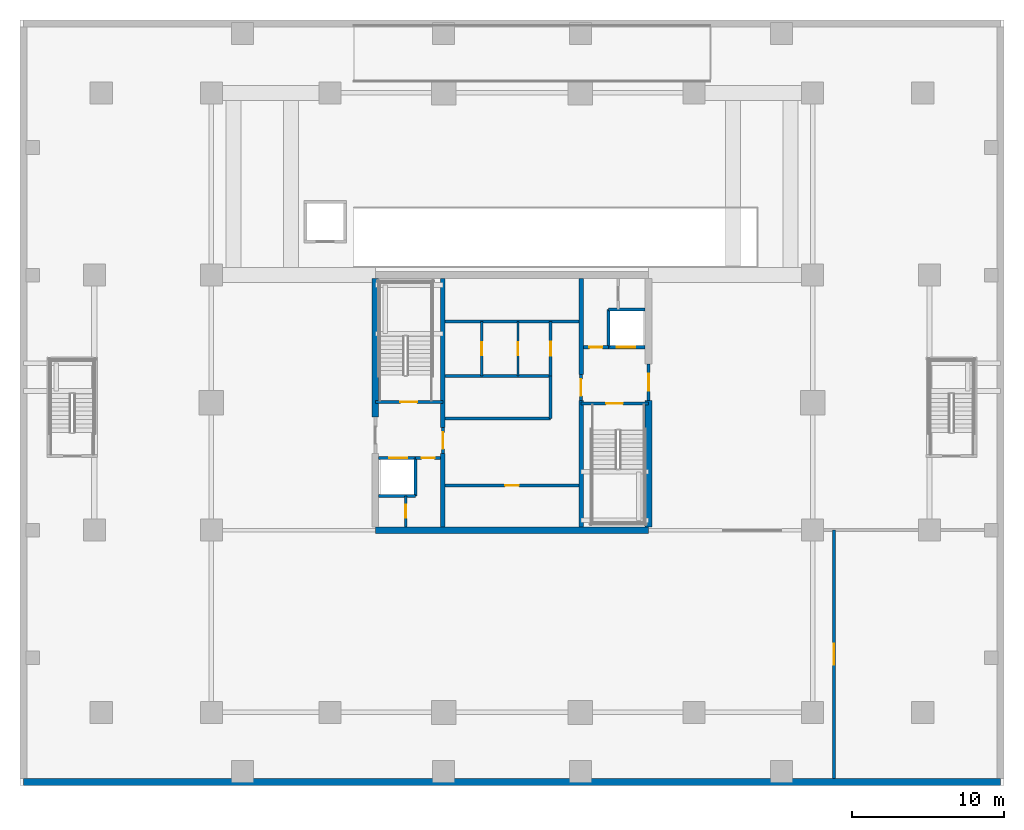
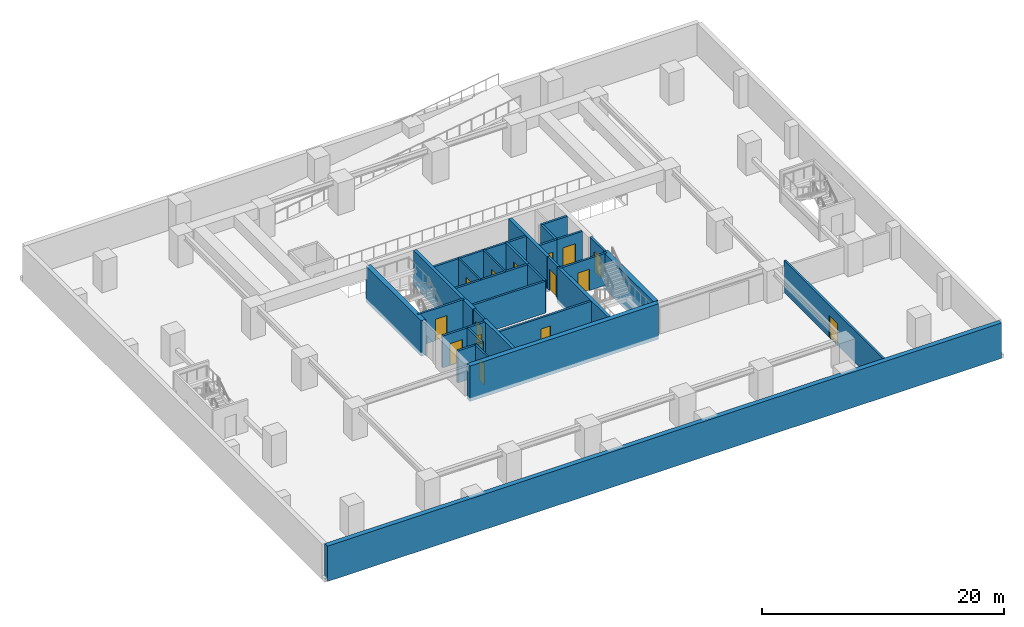
# One storey, part 3 of 10: 31 walls, 15 doors, 15 openings.
"""IFC4 building model written with IfcOpenShell, lengths in metres."""

import ifcopenshell
import ifcopenshell.guid

model = None  # the IFC model being written
_history = None  # IfcOwnerHistory: only IFC2X3 demands one
_inside = {}  # id of a spatial element -> (the spatial element, [elements in it])
_under = {}  # id of a project, library or spatial element -> (it, [spatial elements below it])
_declared = {}  # id of a project -> (the project, [libraries it declares])
_typed = {}  # id of a type object -> (the type object, [elements of that type])
_made_of = {}  # id of a material, layer set ... -> (it, [elements and type objects made of it])


def new_model(schema):
    """Start an empty IFC model of exactly this schema.

    Asked for "IFC4X3", IfcOpenShell would pick the latest addendum, in which some entities
    have other attributes; the version numbers below select the first issue.
    IFC2X3 requires an IfcOwnerHistory on every rooted entity: one is made here for all.
    """
    global model, _history
    if schema == "IFC4X3":
        model = ifcopenshell.file(schema_version=(4, 3, 0, 0))
    else:
        model = ifcopenshell.file(schema=schema)
    _inside.clear()
    _under.clear()
    _declared.clear()
    _typed.clear()
    _made_of.clear()
    _history = None
    if model.schema == "IFC2X3":
        org = make("IfcOrganization", Name="unknown")
        user = make(
            "IfcPersonAndOrganization",
            ThePerson=make("IfcPerson", FamilyName="unknown"),
            TheOrganization=org,
        )
        app = make(
            "IfcApplication",
            ApplicationDeveloper=org,
            Version="unknown",
            ApplicationFullName="unknown",
            ApplicationIdentifier="unknown",
        )
        _history = make(
            "IfcOwnerHistory",
            OwningUser=user,
            OwningApplication=app,
            ChangeAction="ADDED",
            CreationDate=0,
        )
    return model


def make(cls, **values):
    """One entity of the class cls with the attributes given. An attribute that is None is left unset."""
    return model.create_entity(
        cls, **{name: value for name, value in values.items() if value is not None}
    )


def rooted(cls, **values):
    """An entity with a GlobalId (a new one), such as an element, a storey or a relation."""
    return make(cls, GlobalId=ifcopenshell.guid.new(), OwnerHistory=_history, **values)


def si_unit(unit_type, name, prefix=None):
    """IfcSIUnit, for example si_unit("LENGTHUNIT", "METRE", prefix="MILLI")."""
    return make("IfcSIUnit", UnitType=unit_type, Prefix=prefix, Name=name)


def assignment(units):
    """IfcUnitAssignment: the units of a project."""
    return None if units is None else make("IfcUnitAssignment", Units=units)


def point(xyz):
    """IfcCartesianPoint."""
    return None if xyz is None else make("IfcCartesianPoint", Coordinates=xyz)


def direction(xyz):
    """IfcDirection."""
    return None if xyz is None else make("IfcDirection", DirectionRatios=xyz)


def frame(location, z_axis=None, x_axis=None):
    """IfcAxis2Placement3D, a coordinate frame: its origin and axes. An axis left out is left unset."""
    return make(
        "IfcAxis2Placement3D",
        Location=point(location),
        Axis=direction(z_axis),
        RefDirection=direction(x_axis),
    )


def frame_2d(location, x_axis=None):
    """IfcAxis2Placement2D, a coordinate frame in the plane: its origin and x axis."""
    return make(
        "IfcAxis2Placement2D", Location=point(location), RefDirection=direction(x_axis)
    )


def origin():
    """The frame at (0, 0, 0) with its axes left unset."""
    return frame((0.0, 0.0, 0.0))


def place(relative_to, where):
    """IfcLocalPlacement: puts the frame where relative to a parent placement (None: the world)."""
    return make(
        "IfcLocalPlacement", PlacementRelTo=relative_to, RelativePlacement=where
    )


def context(
    kind, dimensions, precision=None, world=None, true_north=None, identifier=None
):
    """IfcGeometricRepresentationContext, for example the 3D "Model" context."""
    return make(
        "IfcGeometricRepresentationContext",
        ContextIdentifier=identifier,
        ContextType=kind,
        CoordinateSpaceDimension=dimensions,
        Precision=precision,
        WorldCoordinateSystem=world,
        TrueNorth=true_north,
    )


def subcontext(parent, identifier, kind, view, scale=None):
    """IfcGeometricRepresentationSubContext, for example "Body" below "Model"."""
    return make(
        "IfcGeometricRepresentationSubContext",
        ContextIdentifier=identifier,
        ContextType=kind,
        ParentContext=parent,
        TargetScale=scale,
        TargetView=view,
    )


def project(units=None, contexts=None):
    """IfcProject with its units and contexts."""
    return rooted(
        "IfcProject",
        Name="project",
        RepresentationContexts=contexts,
        UnitsInContext=assignment(units),
    )


def spatial(cls, under=None, at=None, **own):
    """A site, building, storey or space (cls), placed at a placement, below another one or the project."""
    s = rooted(cls, ObjectPlacement=at, **own)
    if under is not None:
        _under.setdefault(under.id(), (under, []))[1].append(s)
    return s


def profile(cls, at=None, kind="AREA", **sizes):
    """A parametric profile (cls). Its sizes go by their IFC names, for example OverallWidth=200.0."""
    return make(cls, ProfileType=kind, Position=at, **sizes)


def rectangle(**sizes):
    """IfcRectangleProfileDef."""
    return profile("IfcRectangleProfileDef", **sizes)


def extrude(swept, where, along, depth):
    """IfcExtrudedAreaSolid: the profile swept, set in the frame where, extruded along a direction by depth."""
    return make(
        "IfcExtrudedAreaSolid",
        SweptArea=swept,
        Position=where,
        ExtrudedDirection=direction(along),
        Depth=depth,
    )


def shape(context_of_items, identifier, shape_type, items):
    """IfcShapeRepresentation: the items that make up one representation, for example the "Body"."""
    return make(
        "IfcShapeRepresentation",
        ContextOfItems=context_of_items,
        RepresentationIdentifier=identifier,
        RepresentationType=shape_type,
        Items=items,
    )


def source(mapping_origin, context_of_items, identifier, shape_type, items):
    """IfcRepresentationMap: a shape defined once, which mapped items show again and again."""
    return make(
        "IfcRepresentationMap",
        MappingOrigin=mapping_origin,
        MappedRepresentation=shape(context_of_items, identifier, shape_type, items),
    )


def transform(
    local_origin,
    x_axis=None,
    y_axis=None,
    z_axis=None,
    scale=None,
    scale2=None,
    scale3=None,
    uniform=True,
):
    """IfcCartesianTransformationOperator3D, or its non-uniform kind. x_axis, y_axis, z_axis: its Axis1, 2, 3."""
    if uniform:
        return make(
            "IfcCartesianTransformationOperator3D",
            Axis1=direction(x_axis),
            Axis2=direction(y_axis),
            LocalOrigin=point(local_origin),
            Scale=scale,
            Axis3=direction(z_axis),
        )
    return make(
        "IfcCartesianTransformationOperator3DnonUniform",
        Axis1=direction(x_axis),
        Axis2=direction(y_axis),
        LocalOrigin=point(local_origin),
        Scale=scale,
        Axis3=direction(z_axis),
        Scale2=scale2,
        Scale3=scale3,
    )


def mapped(mapping_source, mapping_target):
    """IfcMappedItem: shows the shape of a source again, moved by a transform."""
    return make(
        "IfcMappedItem", MappingSource=mapping_source, MappingTarget=mapping_target
    )


def material(Name=None, Category=None):
    """IfcMaterial."""
    return make("IfcMaterial", Name=Name, Category=Category)


def layer(
    of_material, thickness, ventilated=None, Name=None, Category=None, Priority=None
):
    """IfcMaterialLayer: one layer of a wall or slab, of a material (None: an air gap)."""
    return make(
        "IfcMaterialLayer",
        Material=of_material,
        LayerThickness=thickness,
        IsVentilated=ventilated,
        Name=Name,
        Category=Category,
        Priority=Priority,
    )


def layer_set(layers, Name=None):
    """IfcMaterialLayerSet."""
    return make("IfcMaterialLayerSet", MaterialLayers=layers, LayerSetName=Name)


def made_of(thing, what):
    """Note that an element or type object is made of a material, layer set ...; save() writes the relation."""
    if what is not None:
        _made_of.setdefault(what.id(), (what, []))[1].append(thing)
    return thing


def type_object(cls, material=None, **own):
    """A type object (cls), such as IfcWallType, which elements share."""
    return made_of(rooted(cls, **own), material)


def element(
    cls,
    number,
    at=None,
    inside=None,
    cuts=None,
    type_object=None,
    material=None,
    context=None,
    identifier="Body",
    shape_type=None,
    held_by="IfcProductDefinitionShape",
    body=None,
    shapes=None,
    **own,
):
    """One element of the class cls, such as IfcWall. Its Tag is "e" and its number.

    at: its placement. inside: the storey or other place that contains it. cuts: it is an
    opening in that element (IfcRelVoidsElement). A single representation is given by context,
    identifier, shape_type and body (its items); several are given by shapes. held_by: the class
    of the entity that holds the representations. save() writes the other relations.
    """
    e = rooted(cls, Tag="e%d" % number, ObjectPlacement=at, **own)
    if body is not None:
        shapes = [shape(context, identifier, shape_type, body)]
    if shapes is not None:
        e.Representation = make(held_by, Representations=shapes)
    if inside is not None:
        _inside.setdefault(inside.id(), (inside, []))[1].append(e)
    if cuts is not None:
        rooted(
            "IfcRelVoidsElement", RelatingBuildingElement=cuts, RelatedOpeningElement=e
        )
    if type_object is not None:
        _typed.setdefault(type_object.id(), (type_object, []))[1].append(e)
    return made_of(e, material)


def fill(opening, filler):
    """IfcRelFillsElement: the door or window that sits in an opening."""
    return rooted(
        "IfcRelFillsElement",
        RelatingOpeningElement=opening,
        RelatedBuildingElement=filler,
    )


def aggregate(whole, parts):
    """IfcRelAggregates: a whole, such as a stair, and the parts it consists of."""
    return rooted("IfcRelAggregates", RelatingObject=whole, RelatedObjects=parts)


def save(model, path):
    """Write the relations noted so far, then the file.

    IfcRelAggregates (storeys below a building ...), IfcRelContainedInSpatialStructure (elements
    in a storey), IfcRelDefinesByType, IfcRelAssociatesMaterial and IfcRelDeclares: one each for
    every whole, place, type object, material and project.
    """
    for whole, parts in _under.values():
        aggregate(whole, parts)
    for where, things in _inside.values():
        rooted(
            "IfcRelContainedInSpatialStructure",
            RelatedElements=things,
            RelatingStructure=where,
        )
    for kind, things in _typed.values():
        rooted("IfcRelDefinesByType", RelatedObjects=things, RelatingType=kind)
    for what, things in _made_of.values():
        rooted("IfcRelAssociatesMaterial", RelatedObjects=things, RelatingMaterial=what)
    for by, libraries in _declared.values():
        rooted("IfcRelDeclares", RelatingContext=by, RelatedDefinitions=libraries)
    model.write(path)


model = new_model("IFC4")

# Units and contexts
model_context = context("Model", 3, precision=1e-05, world=origin(), true_north=direction((0.0, 1.0)))
body_context = subcontext(model_context, "Body", "Model", "MODEL_VIEW")
ifc_project = project(units=[si_unit("LENGTHUNIT", "METRE"), si_unit("AREAUNIT", "SQUARE_METRE"), si_unit("VOLUMEUNIT", "CUBIC_METRE"), si_unit("PLANEANGLEUNIT", "RADIAN"), si_unit("MASSUNIT", "GRAM", prefix="KILO")], contexts=[model_context])

# Site, building, storey
site_placement = place(None, origin())
site = spatial("IfcSite", under=ifc_project, at=site_placement, CompositionType="ELEMENT")
building_placement = place(site_placement, origin())
building = spatial("IfcBuilding", under=site, at=building_placement, Name="Serunith Strait Residences", CompositionType="ELEMENT")
storey_placement = place(building_placement, frame((0.0, 0.0, -3.60009765625)))
storey = spatial("IfcBuildingStorey", under=building, at=storey_placement, Name="B01", CompositionType="ELEMENT", Elevation=-3.60009765625)

# Wall, opening, door
ifc_material_1 = material(Name="Fire-rated masonry service closet wall", Category="masonry")
ifc_layer_1 = layer(ifc_material_1, 0.14990234375, Name="Fire-rated masonry service closet wall")
ifc_layer_set_1 = layer_set([ifc_layer_1], Name="Fire-rated masonry service closet wall")
wall_type_1 = type_object("IfcWallType", Name="IW-BOH-150", PredefinedType="PARTITIONING", material=ifc_layer_set_1)
wall_1_placement = place(storey_placement, frame((25.39990234375, 17.02490234375, 0.0), z_axis=(0.0, 0.0, 1.0), x_axis=(0.0, 1.0, 0.0)))
wall_1 = element("IfcWall", 1, at=wall_1_placement, inside=storey, type_object=wall_type_1, Name="B01 Partition Wall 016", PredefinedType="PARTITIONING", context=body_context, shape_type="SweptSolid", body=[
    extrude(rectangle(XDim=2.025146484375, YDim=0.14990234375, at=frame_2d((1.0126953125, 0.0))), origin(), (0.0, 0.0, 1.0), 3.22021484375),
])
opening_1_placement = place(wall_1_placement, frame((0.587890625, 0.0, 0.0)))
opening_1 = element("IfcOpeningElement", 2, at=opening_1_placement, cuts=wall_1, Name="Opening FD-850", PredefinedType="OPENING", context=body_context, shape_type="SweptSolid", body=[
    extrude(rectangle(XDim=0.85009765625, YDim=2.10009765625, at=frame_2d((0.425048828125, 1.050048828125))), frame((0.0, 0.0849609375, 0.0), z_axis=(0.0, -1.0, 0.0), x_axis=(1.0, 0.0, 0.0)), (0.0, 0.0, 1.0), 0.169921875),
])
ifc_material_2 = material(Name="Powder-coated steel service closet door", Category="steel")
door_type_1 = type_object("IfcDoorType", Name="FD-BOH-850", OperationType="NOTDEFINED", PredefinedType="DOOR", material=ifc_material_2)
shared_shape_1 = source(origin(), body_context, "Body", "SweptSolid", [
    extrude(rectangle(XDim=0.85009765625, YDim=2.10009765625, at=frame_2d((0.425048828125, 1.050048828125))), frame((0.0, 0.02490234375, 0.0), z_axis=(0.0, -1.0, 0.0), x_axis=(1.0, 0.0, 0.0)), (0.0, 0.0, 1.0), 0.050048828125),
])
door_1_placement = place(opening_1_placement, origin())
door_1 = element("IfcDoor", 3, at=door_1_placement, inside=storey, type_object=door_type_1, Name="B01 Sprinkler Plant Door", OperationType="SINGLE_SWING_RIGHT", OverallHeight=2.10009765625, OverallWidth=0.85009765625, PredefinedType="DOOR", context=body_context, shape_type="MappedRepresentation", body=[
    mapped(shared_shape_1, transform((0.0, 0.0, 0.0), scale=1.0)),
])
fill(opening_1, door_1)

wall_2_placement = place(storey_placement, frame((32.800048828125, 26.949951171875, 0.0), z_axis=(0.0, 0.0, 1.0), x_axis=(0.0, 1.0, 0.0)))
wall_2 = element("IfcWall", 4, at=wall_2_placement, inside=storey, type_object=wall_type_1, Name="B01 Partition Wall 019", PredefinedType="PARTITIONING", context=body_context, shape_type="SweptSolid", body=[
    extrude(rectangle(XDim=3.60009765625, YDim=0.14990234375, at=frame_2d((1.800048828125, 0.0))), origin(), (0.0, 0.0, 1.0), 3.22021484375),
])
opening_2_placement = place(wall_2_placement, frame((1.375, 0.0, 0.0)))
opening_2 = element("IfcOpeningElement", 5, at=opening_2_placement, cuts=wall_2, Name="Opening FD-850", PredefinedType="OPENING", context=body_context, shape_type="SweptSolid", body=[
    extrude(rectangle(XDim=0.85009765625, YDim=2.10009765625, at=frame_2d((0.425048828125, 1.050048828125))), frame((0.0, 0.0849609375, 0.0), z_axis=(0.0, -1.0, 0.0), x_axis=(1.0, 0.0, 0.0)), (0.0, 0.0, 1.0), 0.169921875),
])
door_2_placement = place(opening_2_placement, origin())
door_2 = element("IfcDoor", 6, at=door_2_placement, inside=storey, type_object=door_type_1, Name="B01 Linen Store Door", OperationType="SINGLE_SWING_LEFT", OverallHeight=2.10009765625, OverallWidth=0.85009765625, PredefinedType="DOOR", context=body_context, shape_type="MappedRepresentation", body=[
    mapped(shared_shape_1, transform((0.0, 0.0, 0.0), scale=1.0)),
])
fill(opening_2, door_2)

wall_3_placement = place(storey_placement, frame((30.39990234375, 26.949951171875, 0.0), z_axis=(0.0, 0.0, 1.0), x_axis=(0.0, 1.0, 0.0)))
wall_3 = element("IfcWall", 7, at=wall_3_placement, inside=storey, type_object=wall_type_1, Name="B01 Partition Wall 020", PredefinedType="PARTITIONING", context=body_context, shape_type="SweptSolid", body=[
    extrude(rectangle(XDim=3.60009765625, YDim=0.14990234375, at=frame_2d((1.800048828125, 0.0))), origin(), (0.0, 0.0, 1.0), 3.22021484375),
])
opening_3_placement = place(wall_3_placement, frame((1.375, 0.0, 0.0)))
opening_3 = element("IfcOpeningElement", 8, at=opening_3_placement, cuts=wall_3, Name="Opening FD-850", PredefinedType="OPENING", context=body_context, shape_type="SweptSolid", body=[
    extrude(rectangle(XDim=0.85009765625, YDim=2.10009765625, at=frame_2d((0.425048828125, 1.050048828125))), frame((0.0, 0.0849609375, 0.0), z_axis=(0.0, -1.0, 0.0), x_axis=(1.0, 0.0, 0.0)), (0.0, 0.0, 1.0), 0.169921875),
])
door_3_placement = place(opening_3_placement, origin())
door_3 = element("IfcDoor", 9, at=door_3_placement, inside=storey, type_object=door_type_1, Name="B01 Housekeeping Supply Door", OperationType="SINGLE_SWING_RIGHT", OverallHeight=2.10009765625, OverallWidth=0.85009765625, PredefinedType="DOOR", context=body_context, shape_type="MappedRepresentation", body=[
    mapped(shared_shape_1, transform((0.0, 0.0, 0.0), scale=1.0)),
])
fill(opening_3, door_3)

ifc_material_3 = material(Name="Acoustic concrete block plant wall", Category="concrete")
ifc_layer_2 = layer(ifc_material_3, 0.199951171875, Name="Acoustic concrete block plant wall")
ifc_layer_set_2 = layer_set([ifc_layer_2], Name="Acoustic concrete block plant wall")
wall_type_2 = type_object("IfcWallType", Name="IW-PLANT-200", PredefinedType="STANDARD", material=ifc_layer_set_2)
wall_4_placement = place(storey_placement, frame((53.60009765625, 0.449951171875, 0.0), z_axis=(0.0, 0.0, 1.0), x_axis=(0.0, 1.0, 0.0)))
wall_4 = element("IfcWall", 10, at=wall_4_placement, inside=storey, type_object=wall_type_2, Name="B01 Partition Wall 021", PredefinedType="STANDARD", context=body_context, shape_type="SweptSolid", body=[
    extrude(rectangle(XDim=16.35009765625, YDim=0.199951171875, at=frame_2d((8.175048828125, 0.0))), origin(), (0.0, 0.0, 1.0), 3.22021484375),
])
opening_4_placement = place(wall_4_placement, frame((7.47509765625, 0.0, 0.0)))
opening_4 = element("IfcOpeningElement", 11, at=opening_4_placement, cuts=wall_4, Name="Opening FD-1400", PredefinedType="OPENING", context=body_context, shape_type="SweptSolid", body=[
    extrude(rectangle(XDim=1.39990234375, YDim=2.199951171875, at=frame_2d((0.699951171875, 1.10009765625))), frame((0.0, 0.10986328125, 0.0), z_axis=(0.0, -1.0, 0.0), x_axis=(1.0, 0.0, 0.0)), (0.0, 0.0, 1.0), 0.219970703125),
])
ifc_material_4 = material(Name="Acoustic double-skin steel plant door", Category="steel")
door_type_2 = type_object("IfcDoorType", Name="FD-PLANT-1400", OperationType="DOUBLE_DOOR_SINGLE_SWING", PredefinedType="DOOR", material=ifc_material_4)
shared_shape_2 = source(origin(), body_context, "Body", "SweptSolid", [
    extrude(rectangle(XDim=1.39990234375, YDim=2.199951171875, at=frame_2d((0.699951171875, 1.10009765625))), frame((0.0, 0.02490234375, 0.0), z_axis=(0.0, -1.0, 0.0), x_axis=(1.0, 0.0, 0.0)), (0.0, 0.0, 1.0), 0.050048828125),
])
door_4_placement = place(opening_4_placement, origin())
door_4 = element("IfcDoor", 12, at=door_4_placement, inside=storey, type_object=door_type_2, Name="B01 Basement Plant Fire Door", OperationType="DOUBLE_DOOR_SINGLE_SWING", OverallHeight=2.199951171875, OverallWidth=1.39990234375, PredefinedType="DOOR", context=body_context, shape_type="MappedRepresentation", body=[
    mapped(shared_shape_2, transform((0.0, 0.0, 0.0), scale=1.0)),
])
fill(opening_4, door_4)

ifc_material_5 = material(Name="Autoclaved aerated concrete blockwork", Category="masonry")
ifc_layer_3 = layer(ifc_material_5, 0.199951171875, Name="Autoclaved aerated concrete blockwork")
ifc_layer_set_3 = layer_set([ifc_layer_3], Name="Autoclaved aerated concrete blockwork")
wall_type_3 = type_object("IfcWallType", Name="IW-SHAFT-200", PredefinedType="STANDARD", material=ifc_layer_set_3)
wall_5_placement = place(storey_placement, frame((23.39990234375, 25.25, 0.0), z_axis=(0.0, 0.0, 1.0), x_axis=(1.0, 0.0, 0.0)))
wall_5 = element("IfcWall", 13, at=wall_5_placement, inside=storey, type_object=wall_type_3, Name="B01 ST-1 South Shaft Wall", PredefinedType="STANDARD", context=body_context, shape_type="SweptSolid", body=[
    extrude(rectangle(XDim=4.4501953125, YDim=0.199951171875, at=frame_2d((2.22509765625, 0.0))), origin(), (0.0, 0.0, 1.0), 3.22021484375),
])
opening_5_placement = place(wall_5_placement, frame((1.64990234375, 0.0, 0.0)))
opening_5 = element("IfcOpeningElement", 14, at=opening_5_placement, cuts=wall_5, Name="Opening FD-1100", PredefinedType="OPENING", context=body_context, shape_type="SweptSolid", body=[
    extrude(rectangle(XDim=1.10009765625, YDim=2.14990234375, at=frame_2d((0.550048828125, 1.074951171875))), frame((0.0, 0.10986328125, 0.0), z_axis=(0.0, -1.0, 0.0), x_axis=(1.0, 0.0, 0.0)), (0.0, 0.0, 1.0), 0.219970703125),
])
ifc_material_6 = material(Name="Galvanised steel fire door leaf", Category="steel")
door_type_3 = type_object("IfcDoorType", Name="FD-STAIR-1100", OperationType="NOTDEFINED", PredefinedType="DOOR", material=ifc_material_6)
shared_shape_3 = source(origin(), body_context, "Body", "SweptSolid", [
    extrude(rectangle(XDim=1.10009765625, YDim=2.14990234375, at=frame_2d((0.550048828125, 1.074951171875))), frame((0.0, 0.02490234375, 0.0), z_axis=(0.0, -1.0, 0.0), x_axis=(1.0, 0.0, 0.0)), (0.0, 0.0, 1.0), 0.050048828125),
])
door_5_placement = place(opening_5_placement, origin())
door_5 = element("IfcDoor", 15, at=door_5_placement, inside=storey, type_object=door_type_3, Name="B01 ST-1 Escape Stair Door", OperationType="SINGLE_SWING_LEFT", OverallHeight=2.14990234375, OverallWidth=1.10009765625, PredefinedType="DOOR", context=body_context, shape_type="MappedRepresentation", body=[
    mapped(shared_shape_3, transform((0.0, 0.0, 0.0), scale=1.0)),
])
fill(opening_5, door_5)

wall_6_placement = place(storey_placement, frame((36.949951171875, 25.14990234375, 0.0), z_axis=(0.0, 0.0, 1.0), x_axis=(1.0, 0.0, 0.0)))
wall_6 = element("IfcWall", 16, at=wall_6_placement, inside=storey, type_object=wall_type_3, Name="B01 ST-2 North Shaft Wall", PredefinedType="STANDARD", context=body_context, shape_type="SweptSolid", body=[
    extrude(rectangle(XDim=4.449951171875, YDim=0.199951171875, at=frame_2d((2.22509765625, 0.0))), origin(), (0.0, 0.0, 1.0), 3.22021484375),
])
opening_6_placement = place(wall_6_placement, frame((1.64990234375, 0.0, 0.0)))
opening_6 = element("IfcOpeningElement", 17, at=opening_6_placement, cuts=wall_6, Name="Opening FD-1100", PredefinedType="OPENING", context=body_context, shape_type="SweptSolid", body=[
    extrude(rectangle(XDim=1.10009765625, YDim=2.14990234375, at=frame_2d((0.550048828125, 1.074951171875))), frame((0.0, 0.10986328125, 0.0), z_axis=(0.0, -1.0, 0.0), x_axis=(1.0, 0.0, 0.0)), (0.0, 0.0, 1.0), 0.219970703125),
])
door_6_placement = place(opening_6_placement, origin())
door_6 = element("IfcDoor", 18, at=door_6_placement, inside=storey, type_object=door_type_3, Name="B01 ST-2 Escape Stair Door", OperationType="SINGLE_SWING_RIGHT", OverallHeight=2.14990234375, OverallWidth=1.10009765625, PredefinedType="DOOR", context=body_context, shape_type="MappedRepresentation", body=[
    mapped(shared_shape_3, transform((0.0, 0.0, 0.0), scale=1.0)),
])
fill(opening_6, door_6)

wall_7_placement = place(storey_placement, frame((23.625, 21.550048828125, 0.0), z_axis=(0.0, 0.0, 1.0), x_axis=(1.0, 0.0, 0.0)))
wall_7 = element("IfcWall", 19, at=wall_7_placement, inside=storey, type_object=wall_type_3, Name="B01 FL-1 North Shaft Wall", PredefinedType="STANDARD", context=body_context, shape_type="SweptSolid", body=[
    extrude(rectangle(XDim=2.425048828125, YDim=0.199951171875, at=frame_2d((1.21240234375, 0.0))), origin(), (0.0, 0.0, 1.0), 3.22021484375),
])
opening_7_placement = place(wall_7_placement, frame((0.675048828125, 0.0, 0.0)))
opening_7 = element("IfcOpeningElement", 20, at=opening_7_placement, cuts=wall_7, Name="Opening LD-FF1200", PredefinedType="OPENING", context=body_context, shape_type="SweptSolid", body=[
    extrude(rectangle(XDim=1.199951171875, YDim=2.199951171875, at=frame_2d((0.60009765625, 1.10009765625))), frame((0.0, 0.10986328125, 0.0), z_axis=(0.0, -1.0, 0.0), x_axis=(1.0, 0.0, 0.0)), (0.0, 0.0, 1.0), 0.219970703125),
])
ifc_material_7 = material(Name="Brushed stainless steel landing door", Category="steel")
door_type_4 = type_object("IfcDoorType", Name="LD-FF-1200", OperationType="DOUBLE_DOOR_SLIDING", PredefinedType="DOOR", material=ifc_material_7)
shared_shape_4 = source(origin(), body_context, "Body", "SweptSolid", [
    extrude(rectangle(XDim=1.199951171875, YDim=2.199951171875, at=frame_2d((0.60009765625, 1.10009765625))), frame((0.0, 0.02490234375, 0.0), z_axis=(0.0, -1.0, 0.0), x_axis=(1.0, 0.0, 0.0)), (0.0, 0.0, 1.0), 0.050048828125),
])
door_7_placement = place(opening_7_placement, origin())
door_7 = element("IfcDoor", 21, at=door_7_placement, inside=storey, type_object=door_type_4, Name="B01 FL-1 Landing Door", OperationType="DOUBLE_DOOR_SLIDING", OverallHeight=2.199951171875, OverallWidth=1.199951171875, PredefinedType="DOOR", context=body_context, shape_type="MappedRepresentation", body=[
    mapped(shared_shape_4, transform((0.0, 0.0, 0.0), scale=1.0)),
])
fill(opening_7, door_7)

wall_8_placement = place(storey_placement, frame((38.75, 28.85009765625, 0.0), z_axis=(0.0, 0.0, 1.0), x_axis=(1.0, 0.0, 0.0)))
wall_8 = element("IfcWall", 22, at=wall_8_placement, inside=storey, type_object=wall_type_3, Name="B01 FL-2 South Shaft Wall", PredefinedType="STANDARD", context=body_context, shape_type="SweptSolid", body=[
    extrude(rectangle(XDim=2.425048828125, YDim=0.199951171875, at=frame_2d((1.21240234375, 0.0))), origin(), (0.0, 0.0, 1.0), 3.22021484375),
])
opening_8_placement = place(wall_8_placement, frame((0.550048828125, 0.0, 0.0)))
opening_8 = element("IfcOpeningElement", 23, at=opening_8_placement, cuts=wall_8, Name="Opening LD-FF1200", PredefinedType="OPENING", context=body_context, shape_type="SweptSolid", body=[
    extrude(rectangle(XDim=1.199951171875, YDim=2.199951171875, at=frame_2d((0.60009765625, 1.10009765625))), frame((0.0, 0.10986328125, 0.0), z_axis=(0.0, -1.0, 0.0), x_axis=(1.0, 0.0, 0.0)), (0.0, 0.0, 1.0), 0.219970703125),
])
door_8_placement = place(opening_8_placement, origin())
door_8 = element("IfcDoor", 24, at=door_8_placement, inside=storey, type_object=door_type_4, Name="B01 FL-2 Landing Door", OperationType="DOUBLE_DOOR_SLIDING", OverallHeight=2.199951171875, OverallWidth=1.199951171875, PredefinedType="DOOR", context=body_context, shape_type="MappedRepresentation", body=[
    mapped(shared_shape_4, transform((0.0, 0.0, 0.0), scale=1.0)),
])
fill(opening_8, door_8)

# Walls
wall_9_placement = place(storey_placement, frame((26.050048828125, 19.050048828125, 0.0), z_axis=(0.0, 0.0, 1.0), x_axis=(0.0, 1.0, 0.0)))
element("IfcWall", 25, at=wall_9_placement, inside=storey, type_object=wall_type_3, Name="B01 Partition Wall 001", PredefinedType="STANDARD", context=body_context, shape_type="SweptSolid", body=[
    extrude(rectangle(XDim=2.5, YDim=0.199951171875, at=frame_2d((1.25, 0.0))), origin(), (0.0, 0.0, 1.0), 3.22021484375),
])
wall_10_placement = place(storey_placement, frame((23.625, 19.050048828125, 0.0), z_axis=(0.0, 0.0, 1.0), x_axis=(1.0, 0.0, 0.0)))
element("IfcWall", 26, at=wall_10_placement, inside=storey, type_object=wall_type_3, Name="B01 Partition Wall 002", PredefinedType="STANDARD", context=body_context, shape_type="SweptSolid", body=[
    extrude(rectangle(XDim=2.425048828125, YDim=0.199951171875, at=frame_2d((1.21240234375, 0.0))), origin(), (0.0, 0.0, 1.0), 3.22021484375),
])

# Wall, opening, door
wall_11_placement = place(storey_placement, frame((26.052001953125, 21.550048828125, 0.0), z_axis=(0.0, 0.0, 1.0), x_axis=(1.0, 0.0, 0.0)))
wall_11 = element("IfcWall", 27, at=wall_11_placement, inside=storey, type_object=wall_type_3, Name="B01 Partition Wall 003", PredefinedType="STANDARD", context=body_context, shape_type="SweptSolid", body=[
    extrude(rectangle(XDim=1.64794921875, YDim=0.199951171875, at=frame_2d((0.823974609375, 0.0))), origin(), (0.0, 0.0, 1.0), 3.22021484375),
])
opening_9_placement = place(wall_11_placement, frame((0.39892578125, 0.0, 0.0)))
opening_9 = element("IfcOpeningElement", 28, at=opening_9_placement, cuts=wall_11, Name="Opening FD-850", PredefinedType="OPENING", context=body_context, shape_type="SweptSolid", body=[
    extrude(rectangle(XDim=0.85009765625, YDim=2.10009765625, at=frame_2d((0.425048828125, 1.050048828125))), frame((0.0, 0.10986328125, 0.0), z_axis=(0.0, -1.0, 0.0), x_axis=(1.0, 0.0, 0.0)), (0.0, 0.0, 1.0), 0.219970703125),
])
door_9_placement = place(opening_9_placement, origin())
door_9 = element("IfcDoor", 29, at=door_9_placement, inside=storey, type_object=door_type_1, Name="B01 South-West Core Service Door", OperationType="SINGLE_SWING_LEFT", OverallHeight=2.10009765625, OverallWidth=0.85009765625, PredefinedType="DOOR", context=body_context, shape_type="MappedRepresentation", body=[
    mapped(shared_shape_1, transform((0.0, 0.0, 0.0), scale=1.0)),
])
fill(opening_9, door_9)

# Walls
wall_12_placement = place(storey_placement, frame((38.75, 28.85009765625, 0.0), z_axis=(0.0, 0.0, 1.0), x_axis=(0.0, 1.0, 0.0)))
element("IfcWall", 30, at=wall_12_placement, inside=storey, type_object=wall_type_3, Name="B01 Partition Wall 004", PredefinedType="STANDARD", context=body_context, shape_type="SweptSolid", body=[
    extrude(rectangle(XDim=2.5, YDim=0.199951171875, at=frame_2d((1.25, 0.0))), origin(), (0.0, 0.0, 1.0), 3.22021484375),
])
wall_13_placement = place(storey_placement, frame((38.75, 31.35009765625, 0.0), z_axis=(0.0, 0.0, 1.0), x_axis=(1.0, 0.0, 0.0)))
element("IfcWall", 31, at=wall_13_placement, inside=storey, type_object=wall_type_3, Name="B01 Partition Wall 005", PredefinedType="STANDARD", context=body_context, shape_type="SweptSolid", body=[
    extrude(rectangle(XDim=2.425048828125, YDim=0.199951171875, at=frame_2d((1.21240234375, 0.0))), origin(), (0.0, 0.0, 1.0), 3.22021484375),
])

# Wall, opening, door
wall_14_placement = place(storey_placement, frame((37.10009765625, 28.85009765625, 0.0), z_axis=(0.0, 0.0, 1.0), x_axis=(1.0, 0.0, 0.0)))
wall_14 = element("IfcWall", 32, at=wall_14_placement, inside=storey, type_object=wall_type_3, Name="B01 Partition Wall 006", PredefinedType="STANDARD", context=body_context, shape_type="SweptSolid", body=[
    extrude(rectangle(XDim=1.64794921875, YDim=0.199951171875, at=frame_2d((0.823974609375, 0.0))), origin(), (0.0, 0.0, 1.0), 3.22021484375),
])
opening_10_placement = place(wall_14_placement, frame((0.39892578125, 0.0, 0.0)))
opening_10 = element("IfcOpeningElement", 33, at=opening_10_placement, cuts=wall_14, Name="Opening FD-850", PredefinedType="OPENING", context=body_context, shape_type="SweptSolid", body=[
    extrude(rectangle(XDim=0.85009765625, YDim=2.10009765625, at=frame_2d((0.425048828125, 1.050048828125))), frame((0.0, 0.10986328125, 0.0), z_axis=(0.0, -1.0, 0.0), x_axis=(1.0, 0.0, 0.0)), (0.0, 0.0, 1.0), 0.219970703125),
])
door_10_placement = place(opening_10_placement, origin())
door_10 = element("IfcDoor", 34, at=door_10_placement, inside=storey, type_object=door_type_1, Name="B01 North-East Core Service Door", OperationType="SINGLE_SWING_RIGHT", OverallHeight=2.10009765625, OverallWidth=0.85009765625, PredefinedType="DOOR", context=body_context, shape_type="MappedRepresentation", body=[
    mapped(shared_shape_1, transform((0.0, 0.0, 0.0), scale=1.0)),
])
fill(opening_10, door_10)

wall_15_placement = place(storey_placement, frame((41.39990234375, 25.35205078125, 0.0), z_axis=(0.0, 0.0, 1.0), x_axis=(0.0, 1.0, 0.0)))
wall_15 = element("IfcWall", 35, at=wall_15_placement, inside=storey, type_object=wall_type_3, Name="B01 Partition Wall 008", PredefinedType="STANDARD", context=body_context, shape_type="SweptSolid", body=[
    extrude(rectangle(XDim=2.39599609375, YDim=0.199951171875, at=frame_2d((1.197998046875, 0.0))), origin(), (0.0, 0.0, 1.0), 3.22021484375),
])
opening_11_placement = place(wall_15_placement, frame((0.64794921875, 0.0, 0.0)))
opening_11 = element("IfcOpeningElement", 36, at=opening_11_placement, cuts=wall_15, Name="Opening FD-FFL", PredefinedType="OPENING", context=body_context, shape_type="SweptSolid", body=[
    extrude(rectangle(XDim=1.10009765625, YDim=2.14990234375, at=frame_2d((0.550048828125, 1.074951171875))), frame((0.0, 0.10986328125, 0.0), z_axis=(0.0, -1.0, 0.0), x_axis=(1.0, 0.0, 0.0)), (0.0, 0.0, 1.0), 0.219970703125),
])
ifc_material_8 = material(Name="Glazed steel smoke-lobby fire door", Category="steel")
door_type_5 = type_object("IfcDoorType", Name="FD-FFL-1100", OperationType="NOTDEFINED", PredefinedType="DOOR", material=ifc_material_8)
door_11_placement = place(opening_11_placement, origin())
door_11 = element("IfcDoor", 37, at=door_11_placement, inside=storey, type_object=door_type_5, Name="B01 FFL-2 Corridor Fire Door", OperationType="SINGLE_SWING_RIGHT", OverallHeight=2.14990234375, OverallWidth=1.10009765625, PredefinedType="DOOR", context=body_context, shape_type="MappedRepresentation", body=[
    mapped(shared_shape_3, transform((0.0, 0.0, 0.0), scale=1.0)),
])
fill(opening_11, door_11)

wall_16_placement = place(storey_placement, frame((27.85009765625, 21.85205078125, 0.0), z_axis=(0.0, 0.0, 1.0), x_axis=(0.0, 1.0, 0.0)))
wall_16 = element("IfcWall", 38, at=wall_16_placement, inside=storey, type_object=wall_type_3, Name="B01 Partition Wall 009", PredefinedType="STANDARD", context=body_context, shape_type="SweptSolid", body=[
    extrude(rectangle(XDim=1.696044921875, YDim=0.199951171875, at=frame_2d((0.84814453125, 0.0))), origin(), (0.0, 0.0, 1.0), 3.22021484375),
])
opening_12_placement = place(wall_16_placement, frame((0.298095703125, 0.0, 0.0)))
opening_12 = element("IfcOpeningElement", 39, at=opening_12_placement, cuts=wall_16, Name="Opening FD-FFL", PredefinedType="OPENING", context=body_context, shape_type="SweptSolid", body=[
    extrude(rectangle(XDim=1.10009765625, YDim=2.14990234375, at=frame_2d((0.550048828125, 1.074951171875))), frame((0.0, 0.10986328125, 0.0), z_axis=(0.0, -1.0, 0.0), x_axis=(1.0, 0.0, 0.0)), (0.0, 0.0, 1.0), 0.219970703125),
])
door_12_placement = place(opening_12_placement, origin())
door_12 = element("IfcDoor", 40, at=door_12_placement, inside=storey, type_object=door_type_5, Name="B01 FFL-1 Lift Lobby Door", OperationType="SINGLE_SWING_LEFT", OverallHeight=2.14990234375, OverallWidth=1.10009765625, PredefinedType="DOOR", context=body_context, shape_type="MappedRepresentation", body=[
    mapped(shared_shape_3, transform((0.0, 0.0, 0.0), scale=1.0)),
])
fill(opening_12, door_12)

wall_17_placement = place(storey_placement, frame((36.949951171875, 25.35205078125, 0.0), z_axis=(0.0, 0.0, 1.0), x_axis=(0.0, 1.0, 0.0)))
wall_17 = element("IfcWall", 41, at=wall_17_placement, inside=storey, type_object=wall_type_3, Name="B01 Partition Wall 010", PredefinedType="STANDARD", context=body_context, shape_type="SweptSolid", body=[
    extrude(rectangle(XDim=1.696044921875, YDim=0.199951171875, at=frame_2d((0.84814453125, 0.0))), origin(), (0.0, 0.0, 1.0), 3.22021484375),
])
opening_13_placement = place(wall_17_placement, frame((0.298095703125, 0.0, 0.0)))
opening_13 = element("IfcOpeningElement", 42, at=opening_13_placement, cuts=wall_17, Name="Opening FD-FFL", PredefinedType="OPENING", context=body_context, shape_type="SweptSolid", body=[
    extrude(rectangle(XDim=1.10009765625, YDim=2.14990234375, at=frame_2d((0.550048828125, 1.074951171875))), frame((0.0, 0.10986328125, 0.0), z_axis=(0.0, -1.0, 0.0), x_axis=(1.0, 0.0, 0.0)), (0.0, 0.0, 1.0), 0.219970703125),
])
door_13_placement = place(opening_13_placement, origin())
door_13 = element("IfcDoor", 43, at=door_13_placement, inside=storey, type_object=door_type_5, Name="B01 FFL-2 Lift Lobby Door", OperationType="SINGLE_SWING_RIGHT", OverallHeight=2.14990234375, OverallWidth=1.10009765625, PredefinedType="DOOR", context=body_context, shape_type="MappedRepresentation", body=[
    mapped(shared_shape_3, transform((0.0, 0.0, 0.0), scale=1.0)),
])
fill(opening_13, door_13)

# Wall
wall_18_placement = place(storey_placement, frame((28.0, 30.550048828125, 0.0), z_axis=(0.0, 0.0, 1.0), x_axis=(1.0, 0.0, 0.0)))
element("IfcWall", 44, at=wall_18_placement, inside=storey, type_object=wall_type_3, Name="B01 Partition Wall 011", PredefinedType="STANDARD", context=body_context, shape_type="SweptSolid", body=[
    extrude(rectangle(XDim=8.800048828125, YDim=0.199951171875, at=frame_2d((4.39990234375, 0.0))), origin(), (0.0, 0.0, 1.0), 3.22021484375),
])

# Wall, opening, door
wall_19_placement = place(storey_placement, frame((28.0, 19.75, 0.0), z_axis=(0.0, 0.0, 1.0), x_axis=(1.0, 0.0, 0.0)))
wall_19 = element("IfcWall", 45, at=wall_19_placement, inside=storey, type_object=wall_type_3, Name="B01 Partition Wall 012", PredefinedType="STANDARD", context=body_context, shape_type="SweptSolid", body=[
    extrude(rectangle(XDim=8.800048828125, YDim=0.199951171875, at=frame_2d((4.39990234375, 0.0))), origin(), (0.0, 0.0, 1.0), 3.22021484375),
])
opening_14_placement = place(wall_19_placement, frame((3.949951171875, 0.0, 0.0)))
opening_14 = element("IfcOpeningElement", 46, at=opening_14_placement, cuts=wall_19, Name="Opening FD-900", PredefinedType="OPENING", context=body_context, shape_type="SweptSolid", body=[
    extrude(rectangle(XDim=0.89990234375, YDim=2.10009765625, at=frame_2d((0.449951171875, 1.050048828125))), frame((0.0, 0.10986328125, 0.0), z_axis=(0.0, -1.0, 0.0), x_axis=(1.0, 0.0, 0.0)), (0.0, 0.0, 1.0), 0.219970703125),
])
ifc_material_9 = material(Name="Powder-coated steel riser door", Category="steel")
door_type_6 = type_object("IfcDoorType", Name="FD-BOH-900", OperationType="NOTDEFINED", PredefinedType="DOOR", material=ifc_material_9)
shared_shape_5 = source(origin(), body_context, "Body", "SweptSolid", [
    extrude(rectangle(XDim=0.89990234375, YDim=2.10009765625, at=frame_2d((0.449951171875, 1.050048828125))), frame((0.0, 0.02490234375, 0.0), z_axis=(0.0, -1.0, 0.0), x_axis=(1.0, 0.0, 0.0)), (0.0, 0.0, 1.0), 0.050048828125),
])
door_14_placement = place(opening_14_placement, origin())
door_14 = element("IfcDoor", 47, at=door_14_placement, inside=storey, type_object=door_type_6, Name="B01 Basement Core Sump Door", OperationType="SINGLE_SWING_LEFT", OverallHeight=2.10009765625, OverallWidth=0.89990234375, PredefinedType="DOOR", context=body_context, shape_type="MappedRepresentation", body=[
    mapped(shared_shape_5, transform((0.0, 0.0, 0.0), scale=1.0)),
])
fill(opening_14, door_14)

# Walls
for number, where, z_axis, x_axis, name in (
    (48, (28.0, 24.14990234375, 0.0), (0.0, 0.0, 1.0), (1.0, 0.0, 0.0), "B01 Partition Wall 013"),
    (49, (28.0, 26.949951171875, 0.0), (0.0, 0.0, 1.0), (1.0, 0.0, 0.0), "B01 Partition Wall 014"),
):
    element("IfcWall", number, at=place(storey_placement, frame(where, z_axis=z_axis, x_axis=x_axis)), inside=storey, type_object=wall_type_3, Name=name, PredefinedType="STANDARD", context=body_context, shape_type="SweptSolid", body=[
        extrude(rectangle(XDim=6.949951171875, YDim=0.199951171875, at=frame_2d((3.47509765625, 0.0))), origin(), (0.0, 0.0, 1.0), 3.22021484375),
    ])
wall_20_placement = place(storey_placement, frame((34.949951171875, 24.14990234375, 0.0), z_axis=(0.0, 0.0, 1.0), x_axis=(0.0, 1.0, 0.0)))
element("IfcWall", 50, at=wall_20_placement, inside=storey, type_object=wall_type_3, Name="B01 Partition Wall 015", PredefinedType="STANDARD", context=body_context, shape_type="SweptSolid", body=[
    extrude(rectangle(XDim=2.800048828125, YDim=0.199951171875, at=frame_2d((1.39990234375, 0.0))), origin(), (0.0, 0.0, 1.0), 3.22021484375),
])

# Wall, opening, door
wall_21_placement = place(storey_placement, frame((34.949951171875, 26.951904296875, 0.0), z_axis=(0.0, 0.0, 1.0), x_axis=(0.0, 1.0, 0.0)))
wall_21 = element("IfcWall", 51, at=wall_21_placement, inside=storey, type_object=wall_type_3, Name="B01 Partition Wall 018", PredefinedType="STANDARD", context=body_context, shape_type="SweptSolid", body=[
    extrude(rectangle(XDim=3.59814453125, YDim=0.199951171875, at=frame_2d((1.799072265625, 0.0))), origin(), (0.0, 0.0, 1.0), 3.22021484375),
])
opening_15_placement = place(wall_21_placement, frame((1.34912109375, 0.0, 0.0)))
opening_15 = element("IfcOpeningElement", 52, at=opening_15_placement, cuts=wall_21, Name="Opening FD-900", PredefinedType="OPENING", context=body_context, shape_type="SweptSolid", body=[
    extrude(rectangle(XDim=0.89990234375, YDim=2.10009765625, at=frame_2d((0.449951171875, 1.050048828125))), frame((0.0, 0.10986328125, 0.0), z_axis=(0.0, -1.0, 0.0), x_axis=(1.0, 0.0, 0.0)), (0.0, 0.0, 1.0), 0.219970703125),
])
door_15_placement = place(opening_15_placement, origin())
door_15 = element("IfcDoor", 53, at=door_15_placement, inside=storey, type_object=door_type_6, Name="B01 Janitorial Store Door", OperationType="SINGLE_SWING_RIGHT", OverallHeight=2.10009765625, OverallWidth=0.89990234375, PredefinedType="DOOR", context=body_context, shape_type="MappedRepresentation", body=[
    mapped(shared_shape_5, transform((0.0, 0.0, 0.0), scale=1.0)),
])
fill(opening_15, door_15)

# Walls
ifc_material_10 = material(Name="Concrete C50/60", Category="concrete")
ifc_layer_4 = layer(ifc_material_10, 0.449951171875, Name="Concrete C50/60")
ifc_layer_set_4 = layer_set([ifc_layer_4], Name="Concrete C50/60")
wall_type_4 = type_object("IfcWallType", Name="RW-450-C50", PredefinedType="USERDEFINED", material=ifc_layer_set_4)
wall_22_placement = place(storey_placement, frame((0.22509765625, 0.22509765625, -0.35986328125), z_axis=(0.0, 0.0, 1.0), x_axis=(1.0, 0.0, 0.0)))
element("IfcWall", 54, at=wall_22_placement, inside=storey, type_object=wall_type_4, Name="B01 South Diaphragm Wall", ObjectType="RETAININGWALL", PredefinedType="USERDEFINED", context=body_context, shape_type="SweptSolid", body=[
    extrude(rectangle(XDim=64.349853515625, YDim=0.449951171875, at=frame_2d((32.1748046875, 0.0))), origin(), (0.0, 0.0, 1.0), 3.577880859375),
])
ifc_material_11 = material(Name="Concrete C80/95", Category="concrete")
ifc_layer_5 = layer(ifc_material_11, 0.300048828125, Name="Concrete C80/95")
ifc_layer_set_5 = layer_set([ifc_layer_5], Name="Concrete C80/95")
wall_type_5 = type_object("IfcWallType", Name="SW-300-C80", PredefinedType="SHEAR", material=ifc_layer_set_5)
wall_23_placement = place(storey_placement, frame((27.85009765625, 17.02490234375, -0.35986328125), z_axis=(0.0, 0.0, 1.0), x_axis=(0.0, 1.0, 0.0)))
element("IfcWall", 55, at=wall_23_placement, inside=storey, type_object=wall_type_5, Name="B01 Core Internal West Web South Pier", PredefinedType="SHEAR", context=body_context, shape_type="SweptSolid", body=[
    extrude(rectangle(XDim=4.8251953125, YDim=0.300048828125, at=frame_2d((2.41259765625, 0.0))), origin(), (0.0, 0.0, 1.0), 3.577880859375),
])
wall_24_placement = place(storey_placement, frame((27.85009765625, 23.550048828125, -0.35986328125), z_axis=(0.0, 0.0, 1.0), x_axis=(0.0, 1.0, 0.0)))
element("IfcWall", 56, at=wall_24_placement, inside=storey, type_object=wall_type_5, Name="B01 Core Internal West Web North Pier", PredefinedType="SHEAR", context=body_context, shape_type="SweptSolid", body=[
    extrude(rectangle(XDim=9.824951171875, YDim=0.300048828125, at=frame_2d((4.91259765625, 0.0))), origin(), (0.0, 0.0, 1.0), 3.577880859375),
])
wall_25_placement = place(storey_placement, frame((36.949951171875, 17.02490234375, -0.35986328125), z_axis=(0.0, 0.0, 1.0), x_axis=(0.0, 1.0, 0.0)))
element("IfcWall", 57, at=wall_25_placement, inside=storey, type_object=wall_type_5, Name="B01 Core Internal East Web South Pier", PredefinedType="SHEAR", context=body_context, shape_type="SweptSolid", body=[
    extrude(rectangle(XDim=8.3251953125, YDim=0.300048828125, at=frame_2d((4.16259765625, 0.0))), origin(), (0.0, 0.0, 1.0), 3.577880859375),
])
wall_26_placement = place(storey_placement, frame((36.949951171875, 27.050048828125, -0.35986328125), z_axis=(0.0, 0.0, 1.0), x_axis=(0.0, 1.0, 0.0)))
element("IfcWall", 58, at=wall_26_placement, inside=storey, type_object=wall_type_5, Name="B01 Core Internal East Web North Pier", PredefinedType="SHEAR", context=body_context, shape_type="SweptSolid", body=[
    extrude(rectangle(XDim=6.324951171875, YDim=0.300048828125, at=frame_2d((3.16259765625, 0.0))), origin(), (0.0, 0.0, 1.0), 3.577880859375),
])
ifc_layer_6 = layer(ifc_material_11, 0.449951171875, Name="Concrete C80/95")
ifc_layer_set_6 = layer_set([ifc_layer_6], Name="Concrete C80/95")
wall_type_6 = type_object("IfcWallType", Name="SW-450-C80", PredefinedType="SHEAR", material=ifc_layer_set_6)
wall_27_placement = place(storey_placement, frame((23.39990234375, 16.800048828125, -0.35986328125), z_axis=(0.0, 0.0, 1.0), x_axis=(1.0, 0.0, 0.0)))
element("IfcWall", 59, at=wall_27_placement, inside=storey, type_object=wall_type_6, Name="B01 Core South Shear Wall", PredefinedType="SHEAR", context=body_context, shape_type="SweptSolid", body=[
    extrude(rectangle(XDim=18.0, YDim=0.449951171875, at=frame_2d((9.0, 0.0))), origin(), (0.0, 0.0, 1.0), 3.577880859375),
])
wall_28_placement = place(storey_placement, frame((23.39990234375, 24.25, -0.35986328125), z_axis=(0.0, 0.0, 1.0), x_axis=(0.0, 1.0, 0.0)))
element("IfcWall", 60, at=wall_28_placement, inside=storey, type_object=wall_type_6, Name="B01 Core West Shear Wall North Pier", PredefinedType="SHEAR", context=body_context, shape_type="SweptSolid", body=[
    extrude(rectangle(XDim=9.125, YDim=0.449951171875, at=frame_2d((4.5625, 0.0))), origin(), (0.0, 0.0, 1.0), 3.577880859375),
])
wall_29_placement = place(storey_placement, frame((41.39990234375, 17.02490234375, -0.35986328125), z_axis=(0.0, 0.0, 1.0), x_axis=(0.0, 1.0, 0.0)))
element("IfcWall", 61, at=wall_29_placement, inside=storey, type_object=wall_type_6, Name="B01 Core East Shear Wall South Pier", PredefinedType="SHEAR", context=body_context, shape_type="SweptSolid", body=[
    extrude(rectangle(XDim=8.3251953125, YDim=0.449951171875, at=frame_2d((4.16259765625, 0.0))), origin(), (0.0, 0.0, 1.0), 3.577880859375),
])

save(model, "model.ifc")
